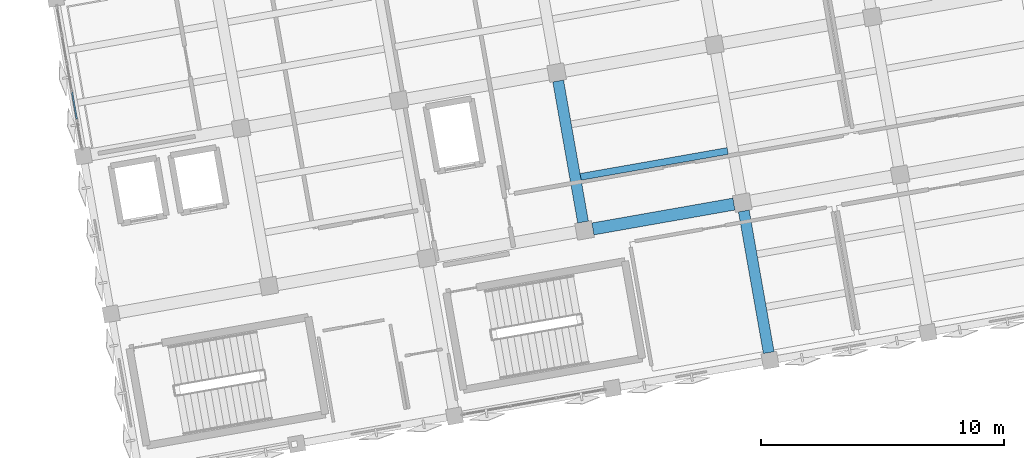
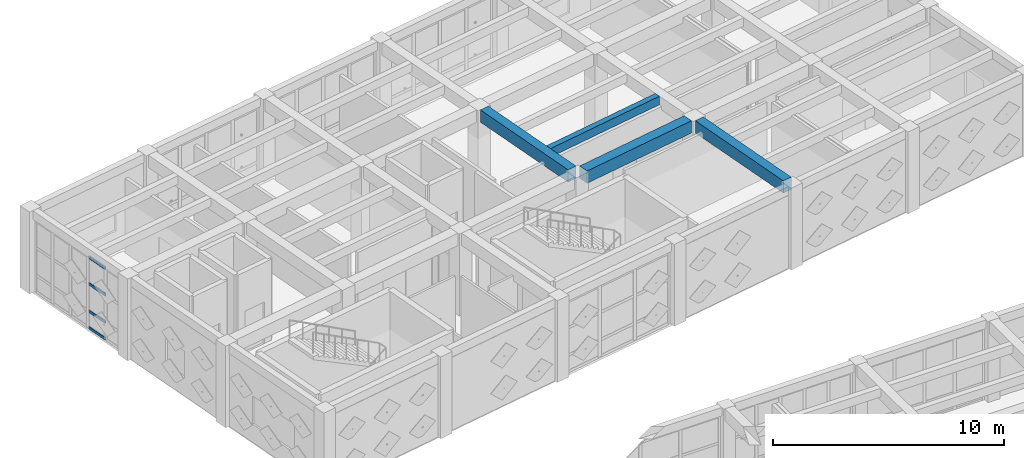
# One storey, part 14 of 67: 4 beams, 4 members, 1 element without a shape of its own.
"""IFC4 building model written with IfcOpenShell, lengths in metres."""

from ifc_helpers import new_model, si_unit, direction, frame, origin, origin_2d, place, context, subcontext, project, spatial, rectangle, hollow_rectangle, extrude, material, layer, layer_set, material_profile, profile_set, type_object, element, aggregate, save


model = new_model("IFC4")

# Units and contexts
model_context = context("Model", 3, precision=1e-05, world=origin(), true_north=direction((0.0, 1.0)))
body_context = subcontext(model_context, "Body", "Model", "MODEL_VIEW")
ifc_project = project(units=[si_unit("LENGTHUNIT", "METRE"), si_unit("AREAUNIT", "SQUARE_METRE"), si_unit("VOLUMEUNIT", "CUBIC_METRE"), si_unit("PLANEANGLEUNIT", "RADIAN"), si_unit("MASSUNIT", "GRAM", prefix="KILO")], contexts=[model_context])

# Site, building, storey
site_placement = place(None, origin())
site = spatial("IfcSite", under=ifc_project, at=site_placement, CompositionType="ELEMENT")
building_placement = place(site_placement, origin())
building = spatial("IfcBuilding", under=site, at=building_placement, Name="Kharisveld Research Institute", CompositionType="ELEMENT")
storey_placement = place(building_placement, frame((0.0, 0.0, 9.60009765625)))
storey = spatial("IfcBuildingStorey", under=building, at=storey_placement, Name="L02", CompositionType="ELEMENT", Elevation=9.60009765625)

# Beams
ifc_material_1 = material(Name="Concrete C40/50", Category="concrete")
ifc_material_profile_1 = material_profile(ifc_material_1, rectangle(XDim=0.449951171875, YDim=0.64990234375, at=origin_2d()))
ifc_profile_set_1 = profile_set([ifc_material_profile_1], Name="Concrete C40/50")
beam_type_1 = type_object("IfcBeamType", Name="BM_RC_450x650", PredefinedType="BEAM", material=ifc_profile_set_1)
beam_1_placement = place(storey_placement, frame((23.492431640625, 45.292724609375, 3.994873046875), z_axis=(-0.173672023659, 0.984803548023, 0.0), x_axis=(-0.984803548023, -0.173672023659, 0.0)))
element("IfcBeam", 1, at=beam_1_placement, inside=storey, type_object=beam_type_1, Name="BM:V1:L02:V3_1", PredefinedType="BEAM", context=body_context, shape_type="SweptSolid", body=[
    extrude(rectangle(XDim=0.449951171875, YDim=0.64990234375, at=origin_2d()), origin(), (0.0, 0.0, 1.0), 5.89990234375),
])
beam_2_placement = place(storey_placement, frame((31.142578125, 39.914306640625, 3.994873046875), z_axis=(-0.173679554678, 0.984802219883, 0.0), x_axis=(-0.984802219883, -0.173679554678, 0.0)))
element("IfcBeam", 2, at=beam_2_placement, inside=storey, type_object=beam_type_1, Name="BM:V1:L02:V4_0", PredefinedType="BEAM", context=body_context, shape_type="SweptSolid", body=[
    extrude(rectangle(XDim=0.449951171875, YDim=0.64990234375, at=origin_2d()), origin(), (0.0, 0.0, 1.0), 5.925048828125),
])
ifc_material_2 = material(Name="Concrete C40/50", Category="concrete")
ifc_material_profile_2 = material_profile(ifc_material_2, rectangle(XDim=0.5, YDim=0.64990234375, at=origin_2d()))
ifc_profile_set_2 = profile_set([ifc_material_profile_2], Name="Concrete C40/50")
beam_type_2 = type_object("IfcBeamType", Name="BM_RC_500x650", PredefinedType="BEAM", material=ifc_profile_set_2)
beam_3_placement = place(storey_placement, frame((23.897705078125, 45.0087890625, 3.994873046875), z_axis=(0.98481187206, 0.173624815763, 0.0), x_axis=(-0.173624815763, 0.98481187206, 0.0)))
element("IfcBeam", 3, at=beam_3_placement, inside=storey, type_object=beam_type_2, Name="BM:V1:L02:U3_1", PredefinedType="BEAM", context=body_context, shape_type="SweptSolid", body=[
    extrude(rectangle(XDim=0.5, YDim=0.64990234375, at=origin_2d()), origin(), (0.0, 0.0, 1.0), 5.900146484375),
])

# Curtain wall, members
ifc_material_3 = material(Name="Thermally Broken Aluminium Curtain Wall", Category="aluminium")
ifc_layer = layer(ifc_material_3, 0.159912109375)
ifc_layer_set = layer_set([ifc_layer], Name="CW_SYS_01")
curtain_wall_type = type_object("IfcCurtainWallType", Name="CW_SYS_01", PredefinedType="NOTDEFINED", material=ifc_layer_set)
curtain_wall_placement = place(storey_placement, origin())
curtain_wall = element("IfcCurtainWall", 4, at=curtain_wall_placement, inside=storey, type_object=curtain_wall_type, Name="CW:V1:L02:W2", PredefinedType="NOTDEFINED")
ifc_material_4 = material(Name="Anodised Aluminium AW-6063-T6", Category="aluminium")
ifc_material_profile_3 = material_profile(ifc_material_4, hollow_rectangle(XDim=0.06494140625, YDim=0.139892578125, WallThickness=0.00390625, at=origin_2d()))
ifc_profile_set_3 = profile_set([ifc_material_profile_3], Name="Anodised Aluminium AW-6063-T6")
member_type = type_object("IfcMemberType", Name="CW_TRN_140", PredefinedType="USERDEFINED", material=ifc_profile_set_3)
member_1_placement = place(storey_placement, frame((2.63916015625, 49.532958984375, 0.032470703125), z_axis=(-0.173636378072, 0.984809833526, 0.0), x_axis=(-0.984809833526, -0.173636378072, 0.0)))
member_1 = element("IfcMember", 5, at=member_1_placement, type_object=member_type, Name="CW-01 transom 2.1", ObjectType="TRANSOM", PredefinedType="USERDEFINED", context=body_context, shape_type="SweptSolid", body=[
    extrude(hollow_rectangle(XDim=0.06494140625, YDim=0.139892578125, WallThickness=0.00390625, at=origin_2d()), origin(), (0.0, 0.0, 1.0), 1.1220703125),
])
member_2_placement = place(storey_placement, frame((2.63916015625, 49.532958984375, 0.89990234375), z_axis=(-0.173636378072, 0.984809833526, 0.0), x_axis=(-0.984809833526, -0.173636378072, 0.0)))
member_2 = element("IfcMember", 6, at=member_2_placement, type_object=member_type, Name="CW-01 transom 2.2", ObjectType="TRANSOM", PredefinedType="USERDEFINED", context=body_context, shape_type="SweptSolid", body=[
    extrude(hollow_rectangle(XDim=0.06494140625, YDim=0.139892578125, WallThickness=0.00390625, at=origin_2d()), origin(), (0.0, 0.0, 1.0), 1.1220703125),
])
member_3_placement = place(storey_placement, frame((2.63916015625, 49.532958984375, 2.349853515625), z_axis=(-0.173636378072, 0.984809833526, 0.0), x_axis=(-0.984809833526, -0.173636378072, 0.0)))
member_3 = element("IfcMember", 7, at=member_3_placement, type_object=member_type, Name="CW-01 transom 2.3", ObjectType="TRANSOM", PredefinedType="USERDEFINED", context=body_context, shape_type="SweptSolid", body=[
    extrude(hollow_rectangle(XDim=0.06494140625, YDim=0.139892578125, WallThickness=0.00390625, at=origin_2d()), origin(), (0.0, 0.0, 1.0), 1.1220703125),
])
member_4_placement = place(storey_placement, frame((2.63916015625, 49.532958984375, 3.747314453125), z_axis=(-0.173636378072, 0.984809833526, 0.0), x_axis=(-0.984809833526, -0.173636378072, 0.0)))
member_4 = element("IfcMember", 8, at=member_4_placement, type_object=member_type, Name="CW-01 transom 2.4", ObjectType="TRANSOM", PredefinedType="USERDEFINED", context=body_context, shape_type="SweptSolid", body=[
    extrude(hollow_rectangle(XDim=0.06494140625, YDim=0.139892578125, WallThickness=0.00390625, at=origin_2d()), origin(), (0.0, 0.0, 1.0), 1.1220703125),
])
aggregate(curtain_wall, [member_1, member_2, member_3, member_4])

# Beam
ifc_material_5 = material(Name="Concrete C40/50", Category="concrete")
ifc_material_profile_4 = material_profile(ifc_material_5, rectangle(XDim=0.280029296875, YDim=0.449951171875, at=origin_2d()))
ifc_profile_set_4 = profile_set([ifc_material_profile_4], Name="Concrete C40/50")
beam_type_3 = type_object("IfcBeamType", Name="WB_RC_280x450", PredefinedType="JOIST", material=ifc_profile_set_4)
beam_4_placement = place(storey_placement, frame((23.392578125, 47.153564453125, 4.094970703125), z_axis=(0.984809923515, 0.173635867682, 0.0), x_axis=(-0.173635867682, 0.984809923515, 0.0)))
element("IfcBeam", 9, at=beam_4_placement, inside=storey, type_object=beam_type_3, Name="BM:V1:L02:J_3_1_R1", PredefinedType="JOIST", context=body_context, shape_type="SweptSolid", body=[
    extrude(rectangle(XDim=0.280029296875, YDim=0.449951171875, at=origin_2d()), origin(), (0.0, 0.0, 1.0), 6.150146484375),
])

save(model, "model.ifc")
